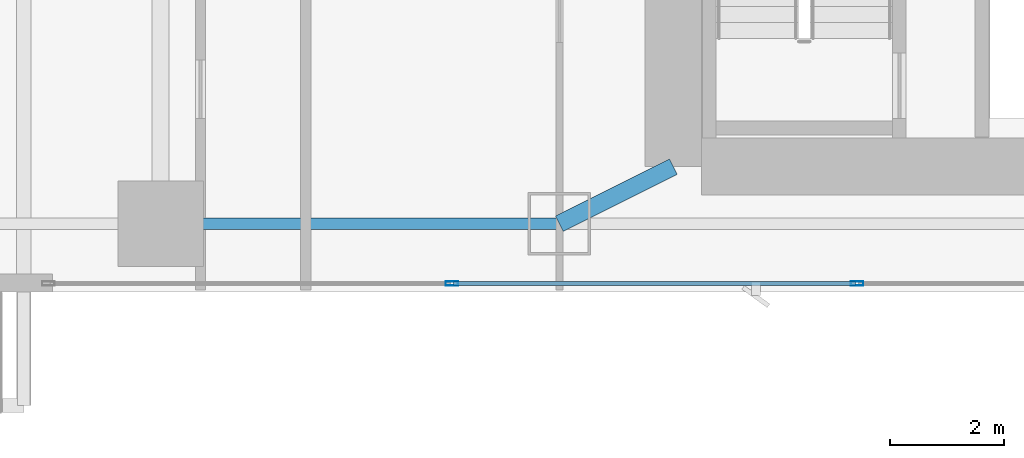
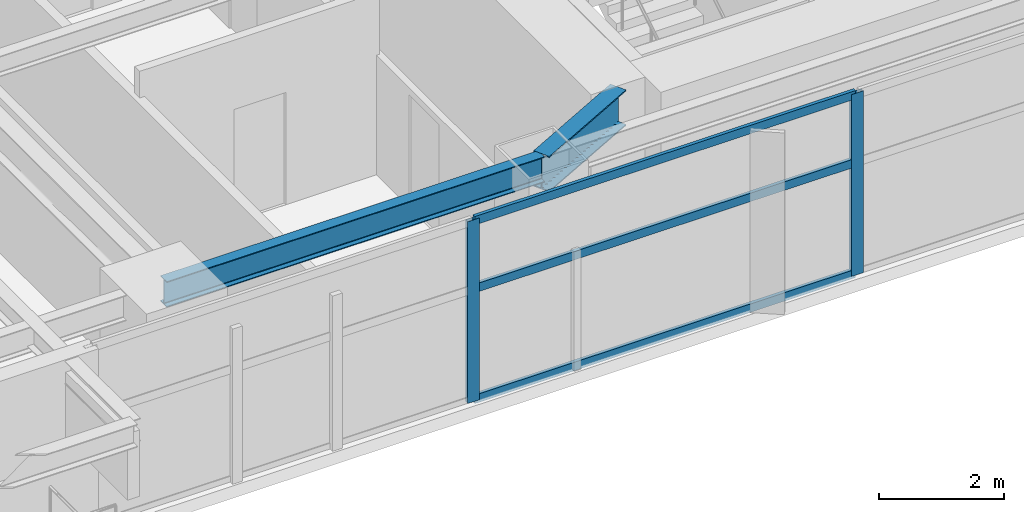
# One storey, part 6 of 30: 5 members, 2 beams, 1 element without a shape of its own.
"""IFC4 building model written with IfcOpenShell, lengths in metres."""

from ifc_helpers import new_model, si_unit, direction, frame, origin, origin_2d, place, context, subcontext, project, spatial, hollow_rectangle, i_section, extrude, material, layer, layer_set, material_profile, profile_set, type_object, element, aggregate, save


model = new_model("IFC4")

# Units and contexts
model_context = context("Model", 3, precision=1e-05, world=origin(), true_north=direction((0.0, 1.0)))
body_context = subcontext(model_context, "Body", "Model", "MODEL_VIEW")
ifc_project = project(units=[si_unit("LENGTHUNIT", "METRE"), si_unit("AREAUNIT", "SQUARE_METRE"), si_unit("VOLUMEUNIT", "CUBIC_METRE"), si_unit("PLANEANGLEUNIT", "RADIAN"), si_unit("MASSUNIT", "GRAM", prefix="KILO")], contexts=[model_context])

# Site, building, storey
site_placement = place(None, origin())
site = spatial("IfcSite", under=ifc_project, at=site_placement, CompositionType="ELEMENT")
building_placement = place(site_placement, origin())
building = spatial("IfcBuilding", under=site, at=building_placement, Name="Calvorn Quay Hotel", CompositionType="ELEMENT")
storey_placement = place(building_placement, frame((0.0, 0.0, 54.60009765625)))
storey = spatial("IfcBuildingStorey", under=building, at=storey_placement, Name="L12", CompositionType="ELEMENT", Elevation=54.60009765625)

# Beams
ifc_material_1 = material(Name="Steel Q390GJC", Category="steel")
ifc_material_profile_1 = material_profile(ifc_material_1, i_section(OverallWidth=0.300048828125, OverallDepth=0.699951171875, WebThickness=0.012939453125, FlangeThickness=0.02392578125, FilletRadius=0.02392578125, at=origin_2d()), Name="HN700x300x13x24")
ifc_profile_set_1 = profile_set([ifc_material_profile_1], Name="Steel Q390GJC")
beam_type_1 = type_object("IfcBeamType", Name="BM-GIRD-MAIN", PredefinedType="BEAM", material=ifc_profile_set_1)
beam_1_placement = place(storey_placement, frame((19.60009765625, 3.60009765625, 3.18994140625), z_axis=(0.894427191, 0.4472135955, 0.0), x_axis=(-0.4472135955, 0.894427191, 0.0)))
element("IfcBeam", 1, at=beam_1_placement, inside=storey, type_object=beam_type_1, Name="Beam BG-L12-S2", PredefinedType="BEAM", context=body_context, shape_type="SweptSolid", body=[
    extrude(i_section(OverallWidth=0.300048828125, OverallDepth=0.699951171875, WebThickness=0.012939453125, FlangeThickness=0.02392578125, FilletRadius=0.02392578125, at=origin_2d()), origin(), (0.0, 0.0, 1.0), 2.236083984375),
])
ifc_material_2 = material(Name="Steel Q355B", Category="steel")
ifc_material_profile_2 = material_profile(ifc_material_2, i_section(OverallWidth=0.199951171875, OverallDepth=0.5, WebThickness=0.010009765625, FlangeThickness=0.01611328125, FilletRadius=0.01611328125, at=origin_2d()), Name="HN500x200x10x16")
ifc_profile_set_2 = profile_set([ifc_material_profile_2], Name="Steel Q355B")
beam_type_2 = type_object("IfcBeamType", Name="BM-SPANDREL-Z1", PredefinedType="SPANDREL", material=ifc_profile_set_2)
beam_2_placement = place(storey_placement, frame((12.60009765625, 3.60009765625, 3.289794921875), z_axis=(1.0, 0.0, 0.0), x_axis=(0.0, 1.0, 0.0)))
element("IfcBeam", 2, at=beam_2_placement, inside=storey, type_object=beam_type_2, Name="Beam BSP-L12-S2", PredefinedType="SPANDREL", context=body_context, shape_type="SweptSolid", body=[
    extrude(i_section(OverallWidth=0.199951171875, OverallDepth=0.5, WebThickness=0.010009765625, FlangeThickness=0.01611328125, FilletRadius=0.01611328125, at=origin_2d()), origin(), (0.0, 0.0, 1.0), 7.0),
])

# Curtain wall, members
ifc_material_3 = material(Name="Pale Anodised Aluminium and Low-E Glass", Category="aluminium")
ifc_layer = layer(ifc_material_3, 0.219970703125)
ifc_layer_set = layer_set([ifc_layer], Name="CW-SYS-Z1")
curtain_wall_type = type_object("IfcCurtainWallType", Name="CW-SYS-Z1", PredefinedType="NOTDEFINED", material=ifc_layer_set)
curtain_wall_placement = place(storey_placement, origin())
curtain_wall = element("IfcCurtainWall", 3, at=curtain_wall_placement, inside=storey, type_object=curtain_wall_type, Name="Tower South Waterfront Curtain Wall (L12)", PredefinedType="NOTDEFINED")
ifc_material_4 = material(Name="Pale Anodised Aluminium 6063-T6", Category="aluminium")
ifc_material_profile_3 = material_profile(ifc_material_4, hollow_rectangle(XDim=0.074951171875, YDim=0.219970703125, WallThickness=0.00439453125, at=origin_2d()), Name="ALU-M220x75x4.5")
ifc_profile_set_3 = profile_set([ifc_material_profile_3], Name="Pale Anodised Aluminium 6063-T6")
member_type_1 = type_object("IfcMemberType", Name="CW-SYS-Z1-MUL", PredefinedType="MULLION", material=ifc_profile_set_3)
member_1_placement = place(storey_placement, frame((17.71435546875, 2.550048828125, 0.0), z_axis=(0.0, 0.0, 1.0), x_axis=(0.0, 1.0, 0.0)))
member_1 = element("IfcMember", 4, at=member_1_placement, type_object=member_type_1, Name="CW-L12-S mullion 2", PredefinedType="MULLION", context=body_context, shape_type="SweptSolid", body=[
    extrude(hollow_rectangle(XDim=0.074951171875, YDim=0.219970703125, WallThickness=0.00439453125, at=origin_2d()), origin(), (0.0, 0.0, 1.0), 3.559814453125),
])
member_2_placement = place(storey_placement, frame((24.82861328125, 2.550048828125, 0.0), z_axis=(0.0, 0.0, 1.0), x_axis=(0.0, 1.0, 0.0)))
member_2 = element("IfcMember", 5, at=member_2_placement, type_object=member_type_1, Name="CW-L12-S mullion 3", PredefinedType="MULLION", context=body_context, shape_type="SweptSolid", body=[
    extrude(hollow_rectangle(XDim=0.074951171875, YDim=0.219970703125, WallThickness=0.00439453125, at=origin_2d()), origin(), (0.0, 0.0, 1.0), 3.559814453125),
])
ifc_material_5 = material(Name="Pale Anodised Aluminium 6063-T6", Category="aluminium")
ifc_material_profile_4 = material_profile(ifc_material_5, hollow_rectangle(XDim=0.06494140625, YDim=0.1650390625, WallThickness=0.00341796875, at=origin_2d()), Name="ALU-T165x65x3.5")
ifc_profile_set_4 = profile_set([ifc_material_profile_4], Name="Pale Anodised Aluminium 6063-T6")
member_type_2 = type_object("IfcMemberType", Name="CW-SYS-Z1-TRN", PredefinedType="USERDEFINED", material=ifc_profile_set_4)
member_3_placement = place(storey_placement, frame((17.744384765625, 2.550048828125, 0.02978515625), z_axis=(1.0, 0.0, 0.0), x_axis=(0.0, 1.0, 0.0)))
member_3 = element("IfcMember", 6, at=member_3_placement, type_object=member_type_2, Name="CW-L12-S transom 2.1", ObjectType="TRANSOM", PredefinedType="USERDEFINED", context=body_context, shape_type="SweptSolid", body=[
    extrude(hollow_rectangle(XDim=0.06494140625, YDim=0.1650390625, WallThickness=0.00341796875, at=origin_2d()), origin(), (0.0, 0.0, 1.0), 7.05419921875),
])
member_4_placement = place(storey_placement, frame((17.744384765625, 2.550048828125, 2.199951171875), z_axis=(1.0, 0.0, 0.0), x_axis=(0.0, 1.0, 0.0)))
member_4 = element("IfcMember", 7, at=member_4_placement, type_object=member_type_2, Name="CW-L12-S transom 2.2", ObjectType="TRANSOM", PredefinedType="USERDEFINED", context=body_context, shape_type="SweptSolid", body=[
    extrude(hollow_rectangle(XDim=0.06494140625, YDim=0.1650390625, WallThickness=0.00341796875, at=origin_2d()), origin(), (0.0, 0.0, 1.0), 7.05419921875),
])
member_5_placement = place(storey_placement, frame((17.744384765625, 2.550048828125, 3.52978515625), z_axis=(1.0, 0.0, 0.0), x_axis=(0.0, 1.0, 0.0)))
member_5 = element("IfcMember", 8, at=member_5_placement, type_object=member_type_2, Name="CW-L12-S transom 2.3", ObjectType="TRANSOM", PredefinedType="USERDEFINED", context=body_context, shape_type="SweptSolid", body=[
    extrude(hollow_rectangle(XDim=0.06494140625, YDim=0.1650390625, WallThickness=0.00341796875, at=origin_2d()), origin(), (0.0, 0.0, 1.0), 7.05419921875),
])
aggregate(curtain_wall, [member_1, member_2, member_3, member_4, member_5])

save(model, "model.ifc")
